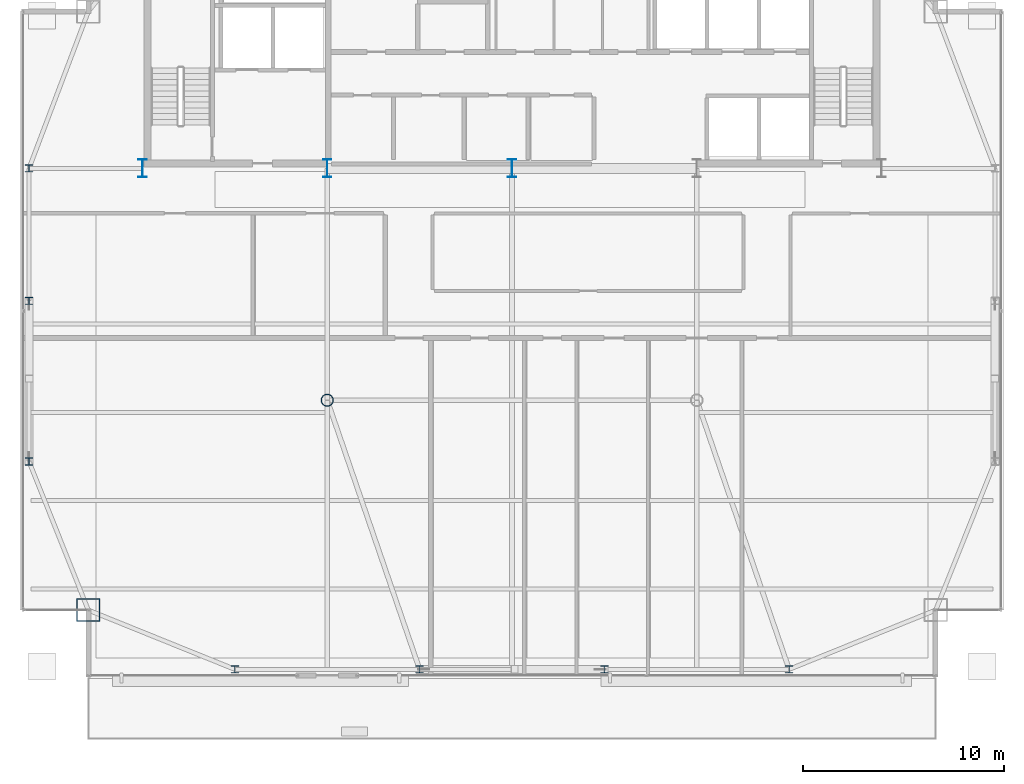
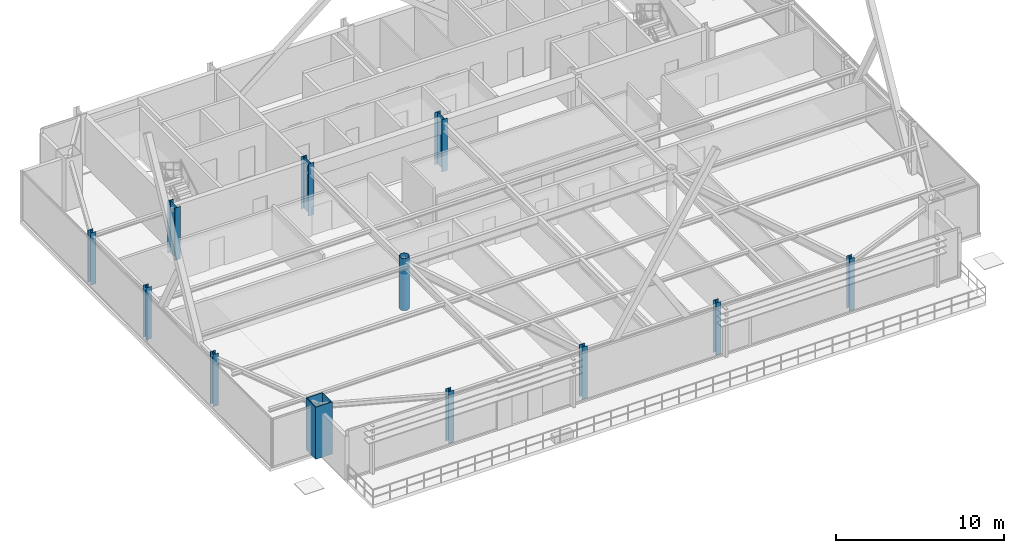
# One storey, part 1 of 33: 12 columns.
"""IFC4 building model written with IfcOpenShell, lengths in metres."""

from ifc_helpers import new_model, si_unit, direction, frame, origin, origin_2d, place, context, subcontext, project, spatial, hollow_rectangle, hollow_circle, i_section, extrude, source, transform, mapped, material, material_profile, profile_set, type_object, type_shapes, element, save


model = new_model("IFC4")

# Units and contexts
model_context = context("Model", 3, precision=1e-05, world=origin(), true_north=direction((0.0, 1.0)))
body_context = subcontext(model_context, "Body", "Model", "MODEL_VIEW")
ifc_project = project(units=[si_unit("LENGTHUNIT", "METRE"), si_unit("AREAUNIT", "SQUARE_METRE"), si_unit("VOLUMEUNIT", "CUBIC_METRE"), si_unit("PLANEANGLEUNIT", "RADIAN"), si_unit("MASSUNIT", "GRAM", prefix="KILO")], contexts=[model_context])

# Site, building, storey
site_placement = place(None, origin())
site = spatial("IfcSite", under=ifc_project, at=site_placement, CompositionType="ELEMENT")
building_placement = place(site_placement, origin())
building = spatial("IfcBuilding", under=site, at=building_placement, Name="Varnel Quay Broadcast Tower", CompositionType="ELEMENT")
storey_placement = place(building_placement, frame((0.0, 0.0, 199.800048828125)))
storey = spatial("IfcBuildingStorey", under=building, at=storey_placement, Name="L49", CompositionType="ELEMENT", Elevation=199.800048828125)

# Columns
ifc_material_1 = material(Name="Structural Steel CSA G40.21 350WT", Category="steel")
ifc_material_profile_1 = material_profile(ifc_material_1, i_section(OverallWidth=0.39990234375, OverallDepth=0.89990234375, WebThickness=0.01611328125, FlangeThickness=0.028076171875, FilletRadius=0.01611328125, at=origin_2d()), Name="WWF900X309")
ifc_profile_set_1 = profile_set([ifc_material_profile_1], Name="Structural Steel CSA G40.21 350WT")
column_type_1 = type_object("IfcColumnType", Name="Col_WWF900X309", PredefinedType="COLUMN", material=ifc_profile_set_1)
shared_shape_1 = source(origin(), body_context, "Body", "SweptSolid", [
    extrude(i_section(OverallWidth=0.39990234375, OverallDepth=0.89990234375, WebThickness=0.01611328125, FlangeThickness=0.028076171875, FilletRadius=0.01611328125, at=origin_2d()), origin(), (0.0, 0.0, 1.0), 3.800048828125),
])
type_shapes(column_type_1, [shared_shape_1])
for number, where, z_axis, x_axis, name in (
    (1, (15.60009765625, 35.60009765625, 0.0), (0.0, 0.0, 1.0), (1.0, 0.0, 0.0), "L49 Column CC-S1"),
    (2, (24.800048828125, 35.60009765625, 0.0), (0.0, 0.0, 1.0), (1.0, 0.0, 0.0), "L49 Column CC-S2"),
    (3, (34.0, 35.60009765625, 0.0), (0.0, 0.0, 1.0), (1.0, 0.0, 0.0), "L49 Column CC-S3"),
):
    element("IfcColumn", number, at=place(storey_placement, frame(where, z_axis=z_axis, x_axis=x_axis)), inside=storey, type_object=column_type_1, Name=name, PredefinedType="COLUMN", context=body_context, shape_type="MappedRepresentation", body=[
        mapped(shared_shape_1, transform((0.0, 0.0, 0.0), x_axis=(1.0, 0.0, 0.0), y_axis=(0.0, 1.0, 0.0), z_axis=(0.0, 0.0, 1.0), scale=1.0)),
    ])
ifc_material_profile_2 = material_profile(ifc_material_1, hollow_rectangle(XDim=1.14990234375, YDim=1.14990234375, WallThickness=0.044921875, at=origin_2d()), Name="BOX1150X1150X45")
ifc_profile_set_2 = profile_set([ifc_material_profile_2], Name="Structural Steel CSA G40.21 350WT")
column_type_2 = type_object("IfcColumnType", Name="Col_BOX1150X1150X45", PredefinedType="COLUMN", material=ifc_profile_set_2)
shared_shape_2 = source(origin(), body_context, "Body", "SweptSolid", [
    extrude(hollow_rectangle(XDim=1.14990234375, YDim=1.14990234375, WallThickness=0.044921875, at=origin_2d()), origin(), (0.0, 0.0, 1.0), 3.800048828125),
])
type_shapes(column_type_2, [shared_shape_2])
column_1_placement = place(storey_placement, frame((12.89990234375, 13.60009765625, 0.0), z_axis=(0.0, 0.0, 1.0), x_axis=(1.0, 0.0, 0.0)))
element("IfcColumn", 4, at=column_1_placement, inside=storey, type_object=column_type_2, Name="L49 Column MC-SW", PredefinedType="COLUMN", context=body_context, shape_type="MappedRepresentation", body=[
    mapped(shared_shape_2, transform((0.0, 0.0, 0.0), x_axis=(1.0, 0.0, 0.0), y_axis=(0.0, 1.0, 0.0), z_axis=(0.0, 0.0, 1.0), scale=1.0)),
])
ifc_material_2 = material(Name="Structural Steel CSA G40.21 350W", Category="steel")
ifc_material_profile_3 = material_profile(ifc_material_2, i_section(OverallWidth=0.368896484375, OverallDepth=0.35595703125, WebThickness=0.01123046875, FlangeThickness=0.01806640625, FilletRadius=0.01611328125, at=origin_2d()), Name="W360X134")
ifc_profile_set_3 = profile_set([ifc_material_profile_3], Name="Structural Steel CSA G40.21 350W")
column_type_3 = type_object("IfcColumnType", Name="Col_W360X134", PredefinedType="COLUMN", material=ifc_profile_set_3)
shared_shape_3 = source(origin(), body_context, "Body", "SweptSolid", [
    extrude(i_section(OverallWidth=0.368896484375, OverallDepth=0.35595703125, WebThickness=0.01123046875, FlangeThickness=0.01806640625, FilletRadius=0.01611328125, at=origin_2d()), origin(), (0.0, 0.0, 1.0), 3.800048828125),
])
type_shapes(column_type_3, [shared_shape_3])
for number, where, z_axis, x_axis, name in (
    (5, (20.199951171875, 10.64990234375, 0.0), (0.0, 0.0, 1.0), (1.0, 0.0, 0.0), "L49 Column TC-S1"),
    (6, (29.39990234375, 10.64990234375, 0.0), (0.0, 0.0, 1.0), (1.0, 0.0, 0.0), "L49 Column TC-S2"),
    (7, (38.60009765625, 10.64990234375, 0.0), (0.0, 0.0, 1.0), (1.0, 0.0, 0.0), "L49 Column TC-S3"),
    (8, (47.800048828125, 10.64990234375, 0.0), (0.0, 0.0, 1.0), (1.0, 0.0, 0.0), "L49 Column TC-S4"),
    (9, (9.949951171875, 21.0, 0.0), (0.0, 0.0, 1.0), (1.0, 0.0, 0.0), "L49 Column TC-W1"),
    (10, (9.949951171875, 29.0, 0.0), (0.0, 0.0, 1.0), (1.0, 0.0, 0.0), "L49 Column TC-W2"),
    (11, (9.949951171875, 35.60009765625, 0.0), (0.0, 0.0, 1.0), (1.0, 0.0, 0.0), "L49 Column TC-W3"),
):
    element("IfcColumn", number, at=place(storey_placement, frame(where, z_axis=z_axis, x_axis=x_axis)), inside=storey, type_object=column_type_3, Name=name, PredefinedType="COLUMN", context=body_context, shape_type="MappedRepresentation", body=[
        mapped(shared_shape_3, transform((0.0, 0.0, 0.0), x_axis=(1.0, 0.0, 0.0), y_axis=(0.0, 1.0, 0.0), z_axis=(0.0, 0.0, 1.0), scale=1.0)),
    ])
ifc_material_profile_4 = material_profile(ifc_material_2, hollow_circle(Radius=0.304931640625, WallThickness=0.02490234375, at=origin_2d()), Name="CHS610X25")
ifc_profile_set_4 = profile_set([ifc_material_profile_4], Name="Structural Steel CSA G40.21 350W")
column_type_4 = type_object("IfcColumnType", Name="Col_CHS610X25", PredefinedType="COLUMN", material=ifc_profile_set_4)
shared_shape_4 = source(origin(), body_context, "Body", "SweptSolid", [
    extrude(hollow_circle(Radius=0.304931640625, WallThickness=0.02490234375, at=origin_2d()), origin(), (0.0, 0.0, 1.0), 3.800048828125),
])
type_shapes(column_type_4, [shared_shape_4])
column_2_placement = place(storey_placement, frame((24.800048828125, 24.050048828125, 0.0), z_axis=(0.0, 0.0, 1.0), x_axis=(1.0, 0.0, 0.0)))
element("IfcColumn", 12, at=column_2_placement, inside=storey, type_object=column_type_4, Name="L49 Column IC-01", PredefinedType="COLUMN", context=body_context, shape_type="MappedRepresentation", body=[
    mapped(shared_shape_4, transform((0.0, 0.0, 0.0), x_axis=(1.0, 0.0, 0.0), y_axis=(0.0, 1.0, 0.0), z_axis=(0.0, 0.0, 1.0), scale=1.0)),
])

save(model, "model.ifc")
